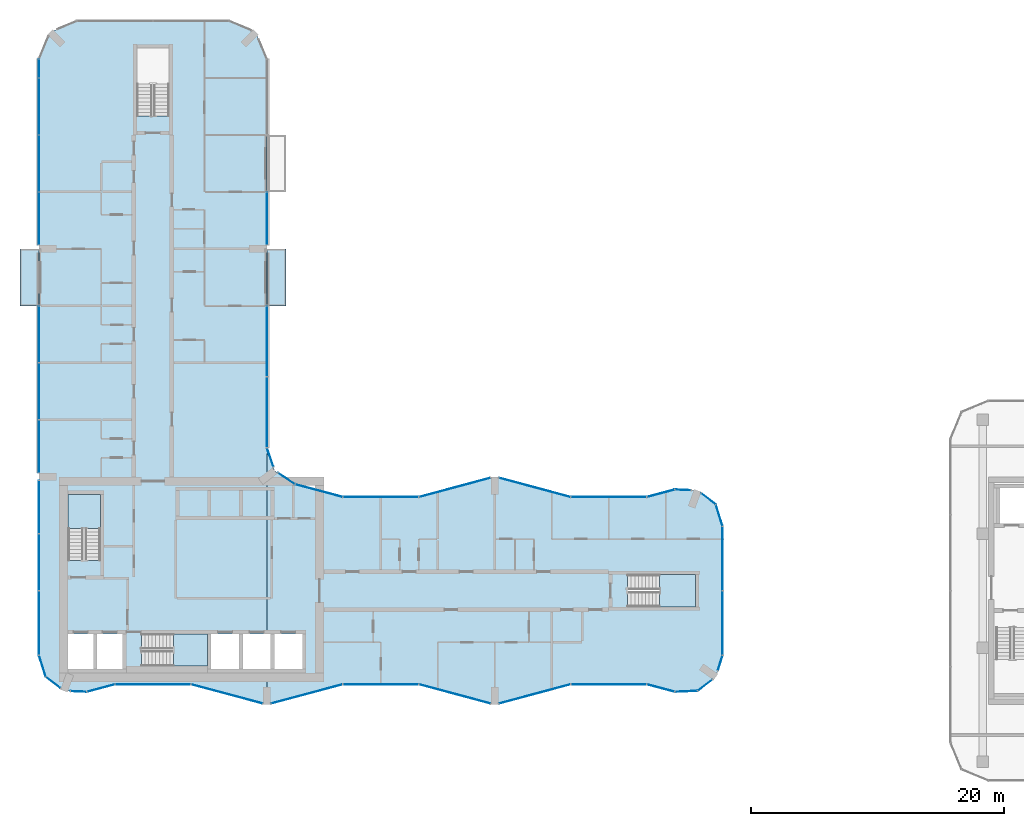
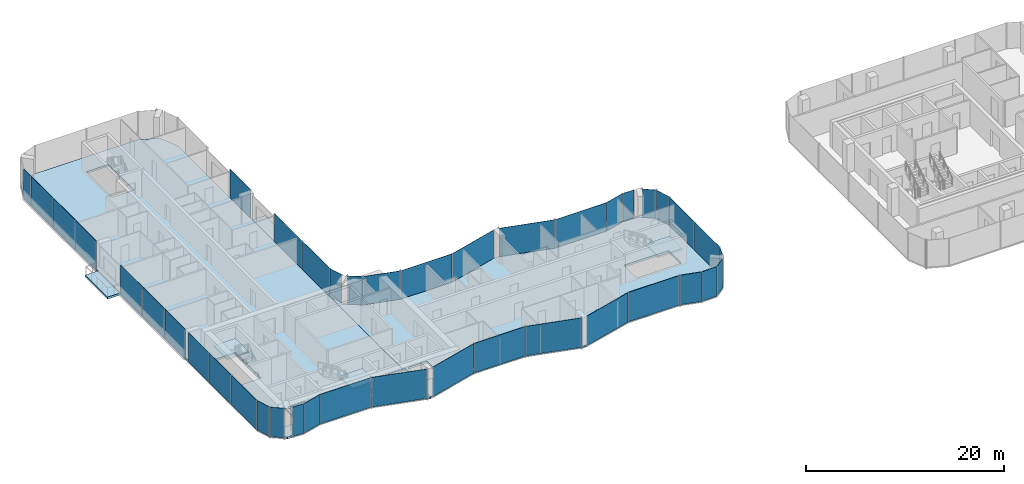
# One storey, part 11 of 22: 41 plates, 7 slabs, 35 elements without a shape of their own.
"""IFC4 building model written with IfcOpenShell, lengths in metres."""

from ifc_helpers import new_model, si_unit, direction, frame, origin, origin_2d, place, context, subcontext, project, spatial, polyline, rectangle, outline, extrude, material, layer, layer_set, type_object, element, aggregate, save


model = new_model("IFC4")

# Units and contexts
model_context = context("Model", 3, precision=1e-05, world=origin(), true_north=direction((0.0, 1.0)))
body_context = subcontext(model_context, "Body", "Model", "MODEL_VIEW")
ifc_project = project(units=[si_unit("LENGTHUNIT", "METRE"), si_unit("AREAUNIT", "SQUARE_METRE"), si_unit("VOLUMEUNIT", "CUBIC_METRE"), si_unit("PLANEANGLEUNIT", "RADIAN"), si_unit("MASSUNIT", "GRAM", prefix="KILO")], contexts=[model_context])

# Site, building, storey
site_placement = place(None, origin())
site = spatial("IfcSite", under=ifc_project, at=site_placement, CompositionType="ELEMENT")
building_placement = place(site_placement, origin())
building = spatial("IfcBuilding", under=site, at=building_placement, Name="Plateau Cross Towers", CompositionType="ELEMENT")
storey_placement = place(building_placement, frame((0.0, 0.0, 68.800048828125)))
storey = spatial("IfcBuildingStorey", under=building, at=storey_placement, Name="L17", CompositionType="ELEMENT", Elevation=68.800048828125)

# Slabs
ifc_material_1 = material(Name="Concrete C40/50", Category="concrete")
ifc_layer_1 = layer(ifc_material_1, 0.25)
ifc_layer_set_1 = layer_set([ifc_layer_1], Name="Concrete C40/50")
slab_type_1 = type_object("IfcSlabType", Name="Balcony slab 250", PredefinedType="FLOOR", material=ifc_layer_set_1)
slab_1_placement = place(storey_placement, frame((0.0, 0.0, -0.25)))
element("IfcSlab", 1, at=slab_1_placement, inside=storey, type_object=slab_type_1, Name="Balcony slab A-BAL-L17-01", PredefinedType="FLOOR", context=body_context, shape_type="SweptSolid", body=[
    extrude(outline(polyline([(0.0, 31.5), (0.0, 36.0), (-1.5, 36.0), (-1.5, 31.5), (0.0, 31.5)])), origin(), (0.0, 0.0, 1.0), 0.25),
])
slab_2_placement = place(storey_placement, frame((0.0, 0.0, -0.25)))
element("IfcSlab", 2, at=slab_2_placement, inside=storey, type_object=slab_type_1, Name="Balcony slab A-BAL-L17-02", PredefinedType="FLOOR", context=body_context, shape_type="SweptSolid", body=[
    extrude(outline(polyline([(19.5, 31.5), (19.5, 36.0), (18.0, 36.0), (18.0, 31.5), (19.5, 31.5)])), origin(), (0.0, 0.0, 1.0), 0.25),
])

# Curtain wall, plate
ifc_material_2 = material(Name="Dark low-iron glass", Category="glass")
ifc_layer_2 = layer(ifc_material_2, 0.239990234375)
ifc_layer_set_2 = layer_set([ifc_layer_2], Name="Dark low-iron glass")
curtain_wall_type_1 = type_object("IfcCurtainWallType", Name="Curtain wall flush unitised CW-B", PredefinedType="NOTDEFINED", material=ifc_layer_set_2)
curtain_wall_1_placement = place(storey_placement, origin())
curtain_wall_1 = element("IfcCurtainWall", 3, at=curtain_wall_1_placement, inside=storey, type_object=curtain_wall_type_1, Name="ENV/A/L17/A502_10", PredefinedType="NOTDEFINED")
ifc_layer_3 = layer(ifc_material_2, 0.031982421875)
ifc_layer_set_3 = layer_set([ifc_layer_3], Name="Dark low-iron glass")
plate_type_1 = type_object("IfcPlateType", Name="Glass panel 32 flush unitised", PredefinedType="CURTAIN_PANEL", material=ifc_layer_set_3)
plate_1_placement = place(storey_placement, frame((51.125, 1.05078125, -0.1298828125), z_axis=(0.0, 0.0, 1.0), x_axis=(0.999043701491, 0.043722791671, 0.0)))
plate_1 = element("IfcPlate", 4, at=plate_1_placement, type_object=plate_type_1, Name="CW-B panel 1", PredefinedType="CURTAIN_PANEL", context=body_context, shape_type="SweptSolid", body=[
    extrude(rectangle(XDim=1.744140625, YDim=0.031982421875, at=origin_2d()), origin(), (0.0, 0.0, 1.0), 3.6298828125),
])
aggregate(curtain_wall_1, [plate_1])

curtain_wall_2_placement = place(storey_placement, origin())
curtain_wall_2 = element("IfcCurtainWall", 5, at=curtain_wall_2_placement, inside=storey, type_object=curtain_wall_type_1, Name="ENV/A/L17/A520_11", PredefinedType="NOTDEFINED")
plate_2_placement = place(storey_placement, frame((52.60986328125, 1.5380859375, -0.1298828125), z_axis=(0.0, 0.0, 1.0), x_axis=(0.793315514529, 0.608810721331, 0.0)))
plate_2 = element("IfcPlate", 6, at=plate_2_placement, type_object=plate_type_1, Name="CW-B panel 1", PredefinedType="CURTAIN_PANEL", context=body_context, shape_type="SweptSolid", body=[
    extrude(rectangle(XDim=1.41162109375, YDim=0.031982421875, at=origin_2d()), origin(), (0.0, 0.0, 1.0), 3.6298828125),
])
aggregate(curtain_wall_2, [plate_2])

curtain_wall_3_placement = place(storey_placement, origin())
curtain_wall_3 = element("IfcCurtainWall", 7, at=curtain_wall_3_placement, inside=storey, type_object=curtain_wall_type_1, Name="ENV/A/L17/A536_27", PredefinedType="NOTDEFINED")
plate_3_placement = place(storey_placement, frame((53.805419921875, 3.292236328125, -0.1298828125), z_axis=(0.0, 0.0, 1.0), x_axis=(0.300686174994, 0.95372313811, 0.0)))
plate_3 = element("IfcPlate", 8, at=plate_3_placement, type_object=plate_type_1, Name="CW-B panel 1", PredefinedType="CURTAIN_PANEL", context=body_context, shape_type="SweptSolid", body=[
    extrude(rectangle(XDim=1.233642578125, YDim=0.031982421875, at=origin_2d()), origin(), (0.0, 0.0, 1.0), 3.6298828125),
])
aggregate(curtain_wall_3, [plate_3])

# Curtain wall, plates
curtain_wall_4_placement = place(storey_placement, origin())
curtain_wall_4 = element("IfcCurtainWall", 9, at=curtain_wall_4_placement, inside=storey, type_object=curtain_wall_type_1, Name="ENV/A/L17/A540_39", PredefinedType="NOTDEFINED")
plate_4_placement = place(storey_placement, frame((54.0, 6.45458984375, -0.1298828125), z_axis=(0.0, 0.0, 1.0), x_axis=(0.0, 1.0, 0.0)))
plate_4 = element("IfcPlate", 10, at=plate_4_placement, type_object=plate_type_1, Name="CW-B panel 1", PredefinedType="CURTAIN_PANEL", context=body_context, shape_type="SweptSolid", body=[
    extrude(rectangle(XDim=5.03076171875, YDim=0.031982421875, at=origin_2d()), origin(), (0.0, 0.0, 1.0), 3.6298828125),
])
plate_5_placement = place(storey_placement, frame((54.0, 11.54541015625, -0.1298828125), z_axis=(0.0, 0.0, 1.0), x_axis=(0.0, 1.0, 0.0)))
plate_5 = element("IfcPlate", 11, at=plate_5_placement, type_object=plate_type_1, Name="CW-B panel 2", PredefinedType="CURTAIN_PANEL", context=body_context, shape_type="SweptSolid", body=[
    extrude(rectangle(XDim=5.03076171875, YDim=0.031982421875, at=origin_2d()), origin(), (0.0, 0.0, 1.0), 3.6298828125),
])
aggregate(curtain_wall_4, [plate_4, plate_5])

# Curtain wall, plate
curtain_wall_5_placement = place(storey_placement, origin())
curtain_wall_5 = element("IfcCurtainWall", 12, at=curtain_wall_5_placement, inside=storey, type_object=curtain_wall_type_1, Name="ENV/A/L17/A540_141", PredefinedType="NOTDEFINED")
plate_6_placement = place(storey_placement, frame((53.728759765625, 14.951171875, -0.1298828125), z_axis=(0.0, 0.0, 1.0), x_axis=(-0.300686174994, 0.95372313811, 0.0)))
plate_6 = element("IfcPlate", 13, at=plate_6_placement, type_object=plate_type_1, Name="CW-B panel 1", PredefinedType="CURTAIN_PANEL", context=body_context, shape_type="SweptSolid", body=[
    extrude(rectangle(XDim=1.744140625, YDim=0.031982421875, at=origin_2d()), origin(), (0.0, 0.0, 1.0), 3.6298828125),
])
aggregate(curtain_wall_5, [plate_6])

curtain_wall_6_placement = place(storey_placement, origin())
curtain_wall_6 = element("IfcCurtainWall", 14, at=curtain_wall_6_placement, inside=storey, type_object=curtain_wall_type_1, Name="ENV/A/L17/A535_158", PredefinedType="NOTDEFINED")
plate_7_placement = place(storey_placement, frame((52.873779296875, 16.25927734375, -0.1298828125), z_axis=(0.0, 0.0, 1.0), x_axis=(-0.793315514529, 0.608810721331, 0.0)))
plate_7 = element("IfcPlate", 15, at=plate_7_placement, type_object=plate_type_1, Name="CW-B panel 1", PredefinedType="CURTAIN_PANEL", context=body_context, shape_type="SweptSolid", body=[
    extrude(rectangle(XDim=1.41162109375, YDim=0.031982421875, at=origin_2d()), origin(), (0.0, 0.0, 1.0), 3.6298828125),
])
aggregate(curtain_wall_6, [plate_7])

curtain_wall_7_placement = place(storey_placement, origin())
curtain_wall_7 = element("IfcCurtainWall", 16, at=curtain_wall_7_placement, inside=storey, type_object=curtain_wall_type_1, Name="ENV/A/L17/A515_169", PredefinedType="NOTDEFINED")
plate_8_placement = place(storey_placement, frame((50.8701171875, 16.96044921875, -0.1298828125), z_axis=(0.0, 0.0, 1.0), x_axis=(-0.999043701491, 0.043722791671, 0.0)))
plate_8 = element("IfcPlate", 17, at=plate_8_placement, type_object=plate_type_1, Name="CW-B panel 1", PredefinedType="CURTAIN_PANEL", context=body_context, shape_type="SweptSolid", body=[
    extrude(rectangle(XDim=1.233642578125, YDim=0.031982421875, at=origin_2d()), origin(), (0.0, 0.0, 1.0), 3.6298828125),
])
aggregate(curtain_wall_7, [plate_8])

curtain_wall_8_placement = place(storey_placement, origin())
curtain_wall_8 = element("IfcCurtainWall", 18, at=curtain_wall_8_placement, inside=storey, type_object=curtain_wall_type_1, Name="ENV/A/L17/A202_174", PredefinedType="NOTDEFINED")
plate_9_placement = place(storey_placement, frame((19.546630859375, 17.856689453125, -0.1298828125), z_axis=(0.0, 0.0, 1.0), x_axis=(-0.831521253329, 0.555492938984, 0.0)))
plate_9 = element("IfcPlate", 19, at=plate_9_placement, type_object=plate_type_1, Name="CW-B panel 1", PredefinedType="CURTAIN_PANEL", context=body_context, shape_type="SweptSolid", body=[
    extrude(rectangle(XDim=1.56884765625, YDim=0.031982421875, at=origin_2d()), origin(), (0.0, 0.0, 1.0), 3.6298828125),
])
aggregate(curtain_wall_8, [plate_9])

curtain_wall_9_placement = place(storey_placement, origin())
curtain_wall_9 = element("IfcCurtainWall", 20, at=curtain_wall_9_placement, inside=storey, type_object=curtain_wall_type_1, Name="ENV/A/L17/A185_188", PredefinedType="NOTDEFINED")
plate_10_placement = place(storey_placement, frame((18.26171875, 19.531005859375, -0.1298828125), z_axis=(0.0, 0.0, 1.0), x_axis=(-0.321469161574, 0.94692004845, 0.0)))
plate_10 = element("IfcPlate", 21, at=plate_10_placement, type_object=plate_type_1, Name="CW-B panel 1", PredefinedType="CURTAIN_PANEL", context=body_context, shape_type="SweptSolid", body=[
    extrude(rectangle(XDim=1.56884765625, YDim=0.031982421875, at=origin_2d()), origin(), (0.0, 0.0, 1.0), 3.6298828125),
])
aggregate(curtain_wall_9, [plate_10])

# Curtain wall, plates
curtain_wall_10_placement = place(storey_placement, origin())
curtain_wall_10 = element("IfcCurtainWall", 22, at=curtain_wall_10_placement, inside=storey, type_object=curtain_wall_type_1, Name="ENV/A/L17/A180_203", PredefinedType="NOTDEFINED")
plate_11_placement = place(storey_placement, frame((18.0, 23.09912109375, -0.1298828125), z_axis=(0.0, 0.0, 1.0), x_axis=(0.0, 1.0, 0.0)))
plate_11 = element("IfcPlate", 23, at=plate_11_placement, type_object=plate_type_1, Name="CW-B panel 1", PredefinedType="CURTAIN_PANEL", context=body_context, shape_type="SweptSolid", body=[
    extrude(rectangle(XDim=5.533935546875, YDim=0.031982421875, at=origin_2d()), origin(), (0.0, 0.0, 1.0), 3.6298828125),
])
plate_12_placement = place(storey_placement, frame((18.0, 28.693115234375, -0.1298828125), z_axis=(0.0, 0.0, 1.0), x_axis=(0.0, 1.0, 0.0)))
plate_12 = element("IfcPlate", 24, at=plate_12_placement, type_object=plate_type_1, Name="CW-B panel 2", PredefinedType="CURTAIN_PANEL", context=body_context, shape_type="SweptSolid", body=[
    extrude(rectangle(XDim=5.533935546875, YDim=0.031982421875, at=origin_2d()), origin(), (0.0, 0.0, 1.0), 3.6298828125),
])
aggregate(curtain_wall_10, [plate_11, plate_12])

# Curtain wall, plate
curtain_wall_11_placement = place(storey_placement, origin())
curtain_wall_11 = element("IfcCurtainWall", 25, at=curtain_wall_11_placement, inside=storey, type_object=curtain_wall_type_1, Name="ENV/A/L17/A180_363", PredefinedType="NOTDEFINED")
plate_13_placement = place(storey_placement, frame((18.0, 38.39501953125, -0.1298828125), z_axis=(0.0, 0.0, 1.0), x_axis=(0.0, 1.0, 0.0)))
plate_13 = element("IfcPlate", 26, at=plate_13_placement, type_object=plate_type_1, Name="CW-B panel 1", PredefinedType="CURTAIN_PANEL", context=body_context, shape_type="SweptSolid", body=[
    extrude(rectangle(XDim=4.1298828125, YDim=0.031982421875, at=origin_2d()), origin(), (0.0, 0.0, 1.0), 3.6298828125),
])
aggregate(curtain_wall_11, [plate_13])

# Curtain wall, plates
curtain_wall_12_placement = place(storey_placement, origin())
curtain_wall_12 = element("IfcCurtainWall", 27, at=curtain_wall_12_placement, inside=storey, type_object=curtain_wall_type_1, Name="ENV/A/L17/A0_510", PredefinedType="NOTDEFINED")
plate_14_placement = place(storey_placement, frame((0.0, 50.25, -0.1298828125), z_axis=(0.0, 0.0, 1.0), x_axis=(0.0, -1.0, 0.0)))
plate_14 = element("IfcPlate", 28, at=plate_14_placement, type_object=plate_type_1, Name="CW-B panel 1", PredefinedType="CURTAIN_PANEL", context=body_context, shape_type="SweptSolid", body=[
    extrude(rectangle(XDim=1.43994140625, YDim=0.031982421875, at=origin_2d()), origin(), (0.0, 0.0, 1.0), 3.6298828125),
])
plate_15_placement = place(storey_placement, frame((0.0, 47.25, -0.1298828125), z_axis=(0.0, 0.0, 1.0), x_axis=(0.0, -1.0, 0.0)))
plate_15 = element("IfcPlate", 29, at=plate_15_placement, type_object=plate_type_1, Name="CW-B panel 2", PredefinedType="CURTAIN_PANEL", context=body_context, shape_type="SweptSolid", body=[
    extrude(rectangle(XDim=4.43994140625, YDim=0.031982421875, at=origin_2d()), origin(), (0.0, 0.0, 1.0), 3.6298828125),
])
plate_16_placement = place(storey_placement, frame((0.0, 42.75, -0.1298828125), z_axis=(0.0, 0.0, 1.0), x_axis=(0.0, -1.0, 0.0)))
plate_16 = element("IfcPlate", 30, at=plate_16_placement, type_object=plate_type_1, Name="CW-B panel 3", PredefinedType="CURTAIN_PANEL", context=body_context, shape_type="SweptSolid", body=[
    extrude(rectangle(XDim=4.43994140625, YDim=0.031982421875, at=origin_2d()), origin(), (0.0, 0.0, 1.0), 3.6298828125),
])
plate_17_placement = place(storey_placement, frame((0.0, 38.39990234375, -0.1298828125), z_axis=(0.0, 0.0, 1.0), x_axis=(0.0, -1.0, 0.0)))
plate_17 = element("IfcPlate", 31, at=plate_17_placement, type_object=plate_type_1, Name="CW-B panel 4", PredefinedType="CURTAIN_PANEL", context=body_context, shape_type="SweptSolid", body=[
    extrude(rectangle(XDim=4.139892578125, YDim=0.031982421875, at=origin_2d()), origin(), (0.0, 0.0, 1.0), 3.6298828125),
])
aggregate(curtain_wall_12, [plate_14, plate_15, plate_16, plate_17])

curtain_wall_13_placement = place(storey_placement, origin())
curtain_wall_13 = element("IfcCurtainWall", 32, at=curtain_wall_13_placement, inside=storey, type_object=curtain_wall_type_1, Name="ENV/A/L17/A0_315", PredefinedType="NOTDEFINED")
plate_18_placement = place(storey_placement, frame((0.0, 29.2451171875, -0.1298828125), z_axis=(0.0, 0.0, 1.0), x_axis=(0.0, -1.0, 0.0)))
plate_18 = element("IfcPlate", 33, at=plate_18_placement, type_object=plate_type_1, Name="CW-B panel 1", PredefinedType="CURTAIN_PANEL", context=body_context, shape_type="SweptSolid", body=[
    extrude(rectangle(XDim=4.429931640625, YDim=0.031982421875, at=origin_2d()), origin(), (0.0, 0.0, 1.0), 3.6298828125),
])
plate_19_placement = place(storey_placement, frame((0.0, 24.75, -0.1298828125), z_axis=(0.0, 0.0, 1.0), x_axis=(0.0, -1.0, 0.0)))
plate_19 = element("IfcPlate", 34, at=plate_19_placement, type_object=plate_type_1, Name="CW-B panel 2", PredefinedType="CURTAIN_PANEL", context=body_context, shape_type="SweptSolid", body=[
    extrude(rectangle(XDim=4.43994140625, YDim=0.031982421875, at=origin_2d()), origin(), (0.0, 0.0, 1.0), 3.6298828125),
])
plate_20_placement = place(storey_placement, frame((0.0, 20.39990234375, -0.1298828125), z_axis=(0.0, 0.0, 1.0), x_axis=(0.0, -1.0, 0.0)))
plate_20 = element("IfcPlate", 35, at=plate_20_placement, type_object=plate_type_1, Name="CW-B panel 3", PredefinedType="CURTAIN_PANEL", context=body_context, shape_type="SweptSolid", body=[
    extrude(rectangle(XDim=4.139892578125, YDim=0.031982421875, at=origin_2d()), origin(), (0.0, 0.0, 1.0), 3.6298828125),
])
aggregate(curtain_wall_13, [plate_18, plate_19, plate_20])

curtain_wall_14_placement = place(storey_placement, origin())
curtain_wall_14 = element("IfcCurtainWall", 36, at=curtain_wall_14_placement, inside=storey, type_object=curtain_wall_type_1, Name="ENV/A/L17/A0_177", PredefinedType="NOTDEFINED")
plate_21_placement = place(storey_placement, frame((0.0, 15.60009765625, -0.1298828125), z_axis=(0.0, 0.0, 1.0), x_axis=(0.0, -1.0, 0.0)))
plate_21 = element("IfcPlate", 37, at=plate_21_placement, type_object=plate_type_1, Name="CW-B panel 1", PredefinedType="CURTAIN_PANEL", context=body_context, shape_type="SweptSolid", body=[
    extrude(rectangle(XDim=4.139892578125, YDim=0.031982421875, at=origin_2d()), origin(), (0.0, 0.0, 1.0), 3.6298828125),
])
plate_22_placement = place(storey_placement, frame((0.0, 11.25, -0.1298828125), z_axis=(0.0, 0.0, 1.0), x_axis=(0.0, -1.0, 0.0)))
plate_22 = element("IfcPlate", 38, at=plate_22_placement, type_object=plate_type_1, Name="CW-B panel 2", PredefinedType="CURTAIN_PANEL", context=body_context, shape_type="SweptSolid", body=[
    extrude(rectangle(XDim=4.43994140625, YDim=0.031982421875, at=origin_2d()), origin(), (0.0, 0.0, 1.0), 3.6298828125),
])
plate_23_placement = place(storey_placement, frame((0.0, 6.45458984375, -0.1298828125), z_axis=(0.0, 0.0, 1.0), x_axis=(0.0, -1.0, 0.0)))
plate_23 = element("IfcPlate", 39, at=plate_23_placement, type_object=plate_type_1, Name="CW-B panel 3", PredefinedType="CURTAIN_PANEL", context=body_context, shape_type="SweptSolid", body=[
    extrude(rectangle(XDim=5.03076171875, YDim=0.031982421875, at=origin_2d()), origin(), (0.0, 0.0, 1.0), 3.6298828125),
])
aggregate(curtain_wall_14, [plate_21, plate_22, plate_23])

# Curtain wall, plate
curtain_wall_15_placement = place(storey_placement, origin())
curtain_wall_15 = element("IfcCurtainWall", 40, at=curtain_wall_15_placement, inside=storey, type_object=curtain_wall_type_1, Name="ENV/A/L17/A0_39", PredefinedType="NOTDEFINED")
plate_24_placement = place(storey_placement, frame((0.271240234375, 3.048828125, -0.1298828125), z_axis=(0.0, 0.0, 1.0), x_axis=(0.300686174994, -0.95372313811, 0.0)))
plate_24 = element("IfcPlate", 41, at=plate_24_placement, type_object=plate_type_1, Name="CW-B panel 1", PredefinedType="CURTAIN_PANEL", context=body_context, shape_type="SweptSolid", body=[
    extrude(rectangle(XDim=1.744140625, YDim=0.031982421875, at=origin_2d()), origin(), (0.0, 0.0, 1.0), 3.6298828125),
])
aggregate(curtain_wall_15, [plate_24])

curtain_wall_16_placement = place(storey_placement, origin())
curtain_wall_16 = element("IfcCurtainWall", 42, at=curtain_wall_16_placement, inside=storey, type_object=curtain_wall_type_1, Name="ENV/A/L17/A5_22", PredefinedType="NOTDEFINED")
plate_25_placement = place(storey_placement, frame((1.126220703125, 1.74072265625, -0.1298828125), z_axis=(0.0, 0.0, 1.0), x_axis=(0.793315514529, -0.608810721331, 0.0)))
plate_25 = element("IfcPlate", 43, at=plate_25_placement, type_object=plate_type_1, Name="CW-B panel 1", PredefinedType="CURTAIN_PANEL", context=body_context, shape_type="SweptSolid", body=[
    extrude(rectangle(XDim=1.41162109375, YDim=0.031982421875, at=origin_2d()), origin(), (0.0, 0.0, 1.0), 3.6298828125),
])
aggregate(curtain_wall_16, [plate_25])

curtain_wall_17_placement = place(storey_placement, origin())
curtain_wall_17 = element("IfcCurtainWall", 44, at=curtain_wall_17_placement, inside=storey, type_object=curtain_wall_type_1, Name="ENV/A/L17/A25_11", PredefinedType="NOTDEFINED")
plate_26_placement = place(storey_placement, frame((3.1298828125, 1.03955078125, -0.1298828125), z_axis=(0.0, 0.0, 1.0), x_axis=(0.999043701491, -0.043722791671, 0.0)))
plate_26 = element("IfcPlate", 45, at=plate_26_placement, type_object=plate_type_1, Name="CW-B panel 1", PredefinedType="CURTAIN_PANEL", context=body_context, shape_type="SweptSolid", body=[
    extrude(rectangle(XDim=1.233642578125, YDim=0.031982421875, at=origin_2d()), origin(), (0.0, 0.0, 1.0), 3.6298828125),
])
aggregate(curtain_wall_17, [plate_26])

ifc_layer_4 = layer(ifc_material_2, 0.260009765625)
ifc_layer_set_4 = layer_set([ifc_layer_4], Name="Dark low-iron glass")
curtain_wall_type_2 = type_object("IfcCurtainWallType", Name="Curtain wall fluted unitised CW-A", PredefinedType="NOTDEFINED", material=ifc_layer_set_4)
curtain_wall_18_placement = place(storey_placement, origin())
curtain_wall_18 = element("IfcCurtainWall", 46, at=curtain_wall_18_placement, inside=storey, type_object=curtain_wall_type_2, Name="ENV/A/L17/A38_10", PredefinedType="NOTDEFINED")
ifc_layer_5 = layer(ifc_material_2, 0.035888671875)
ifc_layer_set_5 = layer_set([ifc_layer_5], Name="Dark low-iron glass")
plate_type_2 = type_object("IfcPlateType", Name="Glass panel 36 fluted unitised", PredefinedType="CURTAIN_PANEL", material=ifc_layer_set_5)
plate_27_placement = place(storey_placement, frame((4.887939453125, 1.30908203125, -0.1298828125), z_axis=(0.0, 0.0, 1.0), x_axis=(0.965957962328, 0.258699081978, 0.0)))
plate_27 = element("IfcPlate", 47, at=plate_27_placement, type_object=plate_type_2, Name="CW-A panel 1", PredefinedType="CURTAIN_PANEL", context=body_context, shape_type="SweptSolid", body=[
    extrude(rectangle(XDim=2.2421875, YDim=0.035888671875, at=origin_2d()), origin(), (0.0, 0.0, 1.0), 3.6298828125),
])
aggregate(curtain_wall_18, [plate_27])

curtain_wall_19_placement = place(storey_placement, origin())
curtain_wall_19 = element("IfcCurtainWall", 48, at=curtain_wall_19_placement, inside=storey, type_object=curtain_wall_type_2, Name="ENV/A/L17/A60_16", PredefinedType="NOTDEFINED")
plate_28_placement = place(storey_placement, frame((9.0, 1.60693359375, -0.1298828125), z_axis=(0.0, 0.0, 1.0), x_axis=(1.0, 0.0, 0.0)))
plate_28 = element("IfcPlate", 49, at=plate_28_placement, type_object=plate_type_2, Name="CW-A panel 1", PredefinedType="CURTAIN_PANEL", context=body_context, shape_type="SweptSolid", body=[
    extrude(rectangle(XDim=5.93994140625, YDim=0.035888671875, at=origin_2d()), origin(), (0.0, 0.0, 1.0), 3.6298828125),
])
aggregate(curtain_wall_19, [plate_28])

curtain_wall_20_placement = place(storey_placement, origin())
curtain_wall_20 = element("IfcCurtainWall", 50, at=curtain_wall_20_placement, inside=storey, type_object=curtain_wall_type_2, Name="ENV/A/L17/A120_16", PredefinedType="NOTDEFINED")
plate_29_placement = place(storey_placement, frame((14.841064453125, 0.845947265625, -0.1298828125), z_axis=(0.0, 0.0, 1.0), x_axis=(0.965957983404, -0.258699003279, 0.0)))
plate_29 = element("IfcPlate", 51, at=plate_29_placement, type_object=plate_type_2, Name="CW-A panel 1", PredefinedType="CURTAIN_PANEL", context=body_context, shape_type="SweptSolid", body=[
    extrude(rectangle(XDim=5.822265625, YDim=0.035888671875, at=origin_2d()), origin(), (0.0, 0.0, 1.0), 3.6298828125),
])
aggregate(curtain_wall_20, [plate_29])

curtain_wall_21_placement = place(storey_placement, origin())
curtain_wall_21 = element("IfcCurtainWall", 52, at=curtain_wall_21_placement, inside=storey, type_object=curtain_wall_type_2, Name="ENV/A/L17/A183_1", PredefinedType="NOTDEFINED")
plate_30_placement = place(storey_placement, frame((21.158935546875, 0.845947265625, -0.1298828125), z_axis=(0.0, 0.0, 1.0), x_axis=(0.965957983404, 0.258699003279, 0.0)))
plate_30 = element("IfcPlate", 53, at=plate_30_placement, type_object=plate_type_2, Name="CW-A panel 1", PredefinedType="CURTAIN_PANEL", context=body_context, shape_type="SweptSolid", body=[
    extrude(rectangle(XDim=5.822265625, YDim=0.035888671875, at=origin_2d()), origin(), (0.0, 0.0, 1.0), 3.6298828125),
])
aggregate(curtain_wall_21, [plate_30])

curtain_wall_22_placement = place(storey_placement, origin())
curtain_wall_22 = element("IfcCurtainWall", 54, at=curtain_wall_22_placement, inside=storey, type_object=curtain_wall_type_2, Name="ENV/A/L17/A240_16", PredefinedType="NOTDEFINED")
plate_31_placement = place(storey_placement, frame((27.0, 1.60693359375, -0.1298828125), z_axis=(0.0, 0.0, 1.0), x_axis=(1.0, 0.0, 0.0)))
plate_31 = element("IfcPlate", 55, at=plate_31_placement, type_object=plate_type_2, Name="CW-A panel 1", PredefinedType="CURTAIN_PANEL", context=body_context, shape_type="SweptSolid", body=[
    extrude(rectangle(XDim=5.93994140625, YDim=0.035888671875, at=origin_2d()), origin(), (0.0, 0.0, 1.0), 3.6298828125),
])
aggregate(curtain_wall_22, [plate_31])

curtain_wall_23_placement = place(storey_placement, origin())
curtain_wall_23 = element("IfcCurtainWall", 56, at=curtain_wall_23_placement, inside=storey, type_object=curtain_wall_type_2, Name="ENV/A/L17/A300_16", PredefinedType="NOTDEFINED")
plate_32_placement = place(storey_placement, frame((32.841064453125, 0.845947265625, -0.1298828125), z_axis=(0.0, 0.0, 1.0), x_axis=(0.965957983404, -0.258699003279, 0.0)))
plate_32 = element("IfcPlate", 57, at=plate_32_placement, type_object=plate_type_2, Name="CW-A panel 1", PredefinedType="CURTAIN_PANEL", context=body_context, shape_type="SweptSolid", body=[
    extrude(rectangle(XDim=5.822265625, YDim=0.035888671875, at=origin_2d()), origin(), (0.0, 0.0, 1.0), 3.6298828125),
])
aggregate(curtain_wall_23, [plate_32])

curtain_wall_24_placement = place(storey_placement, origin())
curtain_wall_24 = element("IfcCurtainWall", 58, at=curtain_wall_24_placement, inside=storey, type_object=curtain_wall_type_2, Name="ENV/A/L17/A363_1", PredefinedType="NOTDEFINED")
plate_33_placement = place(storey_placement, frame((39.158935546875, 0.845947265625, -0.1298828125), z_axis=(0.0, 0.0, 1.0), x_axis=(0.965957983404, 0.258699003279, 0.0)))
plate_33 = element("IfcPlate", 59, at=plate_33_placement, type_object=plate_type_2, Name="CW-A panel 1", PredefinedType="CURTAIN_PANEL", context=body_context, shape_type="SweptSolid", body=[
    extrude(rectangle(XDim=5.822265625, YDim=0.035888671875, at=origin_2d()), origin(), (0.0, 0.0, 1.0), 3.6298828125),
])
aggregate(curtain_wall_24, [plate_33])

curtain_wall_25_placement = place(storey_placement, origin())
curtain_wall_25 = element("IfcCurtainWall", 60, at=curtain_wall_25_placement, inside=storey, type_object=curtain_wall_type_2, Name="ENV/A/L17/A420_16", PredefinedType="NOTDEFINED")
plate_34_placement = place(storey_placement, frame((45.0, 1.60693359375, -0.1298828125), z_axis=(0.0, 0.0, 1.0), x_axis=(1.0, 0.0, 0.0)))
plate_34 = element("IfcPlate", 61, at=plate_34_placement, type_object=plate_type_2, Name="CW-A panel 1", PredefinedType="CURTAIN_PANEL", context=body_context, shape_type="SweptSolid", body=[
    extrude(rectangle(XDim=5.93994140625, YDim=0.035888671875, at=origin_2d()), origin(), (0.0, 0.0, 1.0), 3.6298828125),
])
aggregate(curtain_wall_25, [plate_34])

curtain_wall_26_placement = place(storey_placement, origin())
curtain_wall_26 = element("IfcCurtainWall", 62, at=curtain_wall_26_placement, inside=storey, type_object=curtain_wall_type_2, Name="ENV/A/L17/A480_16", PredefinedType="NOTDEFINED")
plate_35_placement = place(storey_placement, frame((49.112060546875, 1.30908203125, -0.1298828125), z_axis=(0.0, 0.0, 1.0), x_axis=(0.965957962328, -0.258699081978, 0.0)))
plate_35 = element("IfcPlate", 63, at=plate_35_placement, type_object=plate_type_2, Name="CW-A panel 1", PredefinedType="CURTAIN_PANEL", context=body_context, shape_type="SweptSolid", body=[
    extrude(rectangle(XDim=2.2421875, YDim=0.035888671875, at=origin_2d()), origin(), (0.0, 0.0, 1.0), 3.6298828125),
])
aggregate(curtain_wall_26, [plate_35])

curtain_wall_27_placement = place(storey_placement, origin())
curtain_wall_27 = element("IfcCurtainWall", 64, at=curtain_wall_27_placement, inside=storey, type_object=curtain_wall_type_2, Name="ENV/A/L17/A502_170", PredefinedType="NOTDEFINED")
plate_36_placement = place(storey_placement, frame((49.112060546875, 16.69091796875, -0.1298828125), z_axis=(0.0, 0.0, 1.0), x_axis=(-0.965957962328, -0.258699081978, 0.0)))
plate_36 = element("IfcPlate", 65, at=plate_36_placement, type_object=plate_type_2, Name="CW-A panel 1", PredefinedType="CURTAIN_PANEL", context=body_context, shape_type="SweptSolid", body=[
    extrude(rectangle(XDim=2.2421875, YDim=0.035888671875, at=origin_2d()), origin(), (0.0, 0.0, 1.0), 3.6298828125),
])
aggregate(curtain_wall_27, [plate_36])

curtain_wall_28_placement = place(storey_placement, origin())
curtain_wall_28 = element("IfcCurtainWall", 66, at=curtain_wall_28_placement, inside=storey, type_object=curtain_wall_type_2, Name="ENV/A/L17/A480_164", PredefinedType="NOTDEFINED")
plate_37_placement = place(storey_placement, frame((45.0, 16.39306640625, -0.1298828125), z_axis=(0.0, 0.0, 1.0), x_axis=(-1.0, 0.0, 0.0)))
plate_37 = element("IfcPlate", 67, at=plate_37_placement, type_object=plate_type_2, Name="CW-A panel 1", PredefinedType="CURTAIN_PANEL", context=body_context, shape_type="SweptSolid", body=[
    extrude(rectangle(XDim=5.93994140625, YDim=0.035888671875, at=origin_2d()), origin(), (0.0, 0.0, 1.0), 3.6298828125),
])
aggregate(curtain_wall_28, [plate_37])

curtain_wall_29_placement = place(storey_placement, origin())
curtain_wall_29 = element("IfcCurtainWall", 68, at=curtain_wall_29_placement, inside=storey, type_object=curtain_wall_type_2, Name="ENV/A/L17/A420_164", PredefinedType="NOTDEFINED")
plate_38_placement = place(storey_placement, frame((39.158935546875, 17.154052734375, -0.1298828125), z_axis=(0.0, 0.0, 1.0), x_axis=(-0.965957983404, 0.258699003279, 0.0)))
plate_38 = element("IfcPlate", 69, at=plate_38_placement, type_object=plate_type_2, Name="CW-A panel 1", PredefinedType="CURTAIN_PANEL", context=body_context, shape_type="SweptSolid", body=[
    extrude(rectangle(XDim=5.822265625, YDim=0.035888671875, at=origin_2d()), origin(), (0.0, 0.0, 1.0), 3.6298828125),
])
aggregate(curtain_wall_29, [plate_38])

curtain_wall_30_placement = place(storey_placement, origin())
curtain_wall_30 = element("IfcCurtainWall", 70, at=curtain_wall_30_placement, inside=storey, type_object=curtain_wall_type_2, Name="ENV/A/L17/A357_179", PredefinedType="NOTDEFINED")
plate_39_placement = place(storey_placement, frame((32.841064453125, 17.154052734375, -0.1298828125), z_axis=(0.0, 0.0, 1.0), x_axis=(-0.965957983404, -0.258699003279, 0.0)))
plate_39 = element("IfcPlate", 71, at=plate_39_placement, type_object=plate_type_2, Name="CW-A panel 1", PredefinedType="CURTAIN_PANEL", context=body_context, shape_type="SweptSolid", body=[
    extrude(rectangle(XDim=5.822265625, YDim=0.035888671875, at=origin_2d()), origin(), (0.0, 0.0, 1.0), 3.6298828125),
])
aggregate(curtain_wall_30, [plate_39])

curtain_wall_31_placement = place(storey_placement, origin())
curtain_wall_31 = element("IfcCurtainWall", 72, at=curtain_wall_31_placement, inside=storey, type_object=curtain_wall_type_2, Name="ENV/A/L17/A300_164", PredefinedType="NOTDEFINED")
plate_40_placement = place(storey_placement, frame((27.0, 16.39306640625, -0.1298828125), z_axis=(0.0, 0.0, 1.0), x_axis=(-1.0, 0.0, 0.0)))
plate_40 = element("IfcPlate", 73, at=plate_40_placement, type_object=plate_type_2, Name="CW-A panel 1", PredefinedType="CURTAIN_PANEL", context=body_context, shape_type="SweptSolid", body=[
    extrude(rectangle(XDim=5.93994140625, YDim=0.035888671875, at=origin_2d()), origin(), (0.0, 0.0, 1.0), 3.6298828125),
])
aggregate(curtain_wall_31, [plate_40])

curtain_wall_32_placement = place(storey_placement, origin())
curtain_wall_32 = element("IfcCurtainWall", 74, at=curtain_wall_32_placement, inside=storey, type_object=curtain_wall_type_2, Name="ENV/A/L17/A240_164", PredefinedType="NOTDEFINED")
plate_41_placement = place(storey_placement, frame((22.112060546875, 16.898681640625, -0.1298828125), z_axis=(0.0, 0.0, 1.0), x_axis=(-0.965957995816, 0.258698956933, 0.0)))
plate_41 = element("IfcPlate", 75, at=plate_41_placement, type_object=plate_type_2, Name="CW-A panel 1", PredefinedType="CURTAIN_PANEL", context=body_context, shape_type="SweptSolid", body=[
    extrude(rectangle(XDim=3.84912109375, YDim=0.035888671875, at=origin_2d()), origin(), (0.0, 0.0, 1.0), 3.6298828125),
])
aggregate(curtain_wall_32, [plate_41])

# Slabs
ifc_layer_6 = layer(ifc_material_1, 0.25)
ifc_layer_set_6 = layer_set([ifc_layer_6], Name="Concrete C40/50")
slab_type_2 = type_object("IfcSlabType", Name="Post-tensioned flat plate slab 250", PredefinedType="FLOOR", material=ifc_layer_set_6)
slab_3_placement = place(storey_placement, frame((0.0, 0.0, -0.25)))
element("IfcSlab", 76, at=slab_3_placement, inside=storey, type_object=slab_type_2, Name="SL-A-L17 1", PredefinedType="FLOOR", context=body_context, shape_type="SweptSolid", body=[
    extrude(outline(polyline([(0.54248046875, 2.1884765625), (0.0, 3.9091796875), (0.0, 51.0), (0.878662109375, 53.121337890625), (3.0, 54.0), (15.0, 54.0), (17.121337890625, 53.121337890625), (18.0, 51.0), (18.0, 20.30224609375), (18.0, 5.60009765625), (16.10009765625, 5.60009765625), (16.10009765625, 2.800048828125), (18.0, 2.800048828125), (18.0, 0.0), (12.0, 1.60693359375), (6.0, 1.60693359375), (3.776123046875, 1.01123046875), (1.9736328125, 1.090087890625), (0.54248046875, 2.1884765625)]), holes=[polyline([(4.300048828125, 5.60009765625), (2.300048828125, 5.60009765625), (2.300048828125, 2.800048828125), (4.300048828125, 2.800048828125), (4.300048828125, 5.60009765625)]), polyline([(6.60009765625, 5.60009765625), (4.60009765625, 5.60009765625), (4.60009765625, 2.800048828125), (6.60009765625, 2.800048828125), (6.60009765625, 5.60009765625)]), polyline([(15.800048828125, 5.60009765625), (13.60009765625, 5.60009765625), (13.60009765625, 2.800048828125), (15.800048828125, 2.800048828125), (15.800048828125, 5.60009765625)]), polyline([(13.300048828125, 5.60009765625), (8.10009765625, 5.60009765625), (8.10009765625, 3.050048828125), (13.300048828125, 3.050048828125), (13.300048828125, 5.60009765625)]), polyline([(4.85009765625, 16.60009765625), (2.300048828125, 16.60009765625), (2.300048828125, 11.39990234375), (4.85009765625, 11.39990234375), (4.85009765625, 16.60009765625)]), polyline([(7.72509765625, 51.699951171875), (7.72509765625, 46.5), (10.27490234375, 46.5), (10.27490234375, 51.699951171875), (7.72509765625, 51.699951171875)])]), origin(), (0.0, 0.0, 1.0), 0.25),
])
slab_4_placement = place(storey_placement, frame((0.0, 0.0, -0.25)))
element("IfcSlab", 77, at=slab_4_placement, inside=storey, type_object=slab_type_2, Name="SL-A-L17 2", PredefinedType="FLOOR", context=body_context, shape_type="SweptSolid", body=[
    extrude(outline(polyline([(18.6201171875, 18.475830078125), (20.223876953125, 17.404296875), (24.0, 16.39306640625), (30.0, 16.39306640625), (36.0, 18.0), (42.0, 16.39306640625), (48.0, 16.39306640625), (50.223876953125, 16.98876953125), (52.0263671875, 16.909912109375), (53.45751953125, 15.8115234375), (54.0, 14.0908203125), (54.0, 3.9091796875), (53.45751953125, 2.1884765625), (52.0263671875, 1.090087890625), (50.223876953125, 1.01123046875), (48.0, 1.60693359375), (42.0, 1.60693359375), (36.0, 0.0), (30.0, 1.60693359375), (24.0, 1.60693359375), (18.0, 0.0), (18.0, 2.800048828125), (18.300048828125, 2.800048828125), (18.300048828125, 5.60009765625), (18.0, 5.60009765625), (18.0, 20.30224609375), (18.6201171875, 18.475830078125)]), holes=[polyline([(20.800048828125, 5.60009765625), (18.60009765625, 5.60009765625), (18.60009765625, 2.800048828125), (20.800048828125, 2.800048828125), (20.800048828125, 5.60009765625)]), polyline([(51.699951171875, 7.72509765625), (51.699951171875, 10.27490234375), (46.5, 10.27490234375), (46.5, 7.72509765625), (51.699951171875, 7.72509765625)])]), origin(), (0.0, 0.0, 1.0), 0.25),
])

# Stair, slab
stair_type = type_object("IfcStairType", Name="ST-TWR", PredefinedType="HALF_TURN_STAIR", material=ifc_material_1)
stair_1_placement = place(storey_placement, origin())
stair_1 = element("IfcStair", 78, at=stair_1_placement, inside=storey, type_object=stair_type, Name="L17 Protected Exit Stair ST-1", PredefinedType="HALF_TURN_STAIR")
ifc_layer_7 = layer(ifc_material_1, 0.199951171875)
ifc_layer_set_7 = layer_set([ifc_layer_7], Name="Concrete C40/50")
slab_type_3 = type_object("IfcSlabType", Name="SL-LANDING", PredefinedType="LANDING", material=ifc_layer_set_7)
slab_5_placement = place(storey_placement, frame((0.0, 0.0, 1.550048828125)))
slab_5 = element("IfcSlab", 79, at=slab_5_placement, type_object=slab_type_3, Name="ST-1 landing 1", PredefinedType="LANDING", context=body_context, shape_type="SweptSolid", body=[
    extrude(outline(polyline([(4.85009765625, 13.919921875), (4.85009765625, 16.60009765625), (2.300048828125, 16.60009765625), (2.300048828125, 13.919921875), (4.85009765625, 13.919921875)])), origin(), (0.0, 0.0, 1.0), 0.199951171875),
])
aggregate(stair_1, [slab_5])

stair_2_placement = place(storey_placement, origin())
stair_2 = element("IfcStair", 80, at=stair_2_placement, inside=storey, type_object=stair_type, Name="L17 Protected Exit Stair ST-2", PredefinedType="HALF_TURN_STAIR")
slab_6_placement = place(storey_placement, frame((0.0, 0.0, 1.550048828125)))
slab_6 = element("IfcSlab", 81, at=slab_6_placement, type_object=slab_type_3, Name="ST-2 landing 1", PredefinedType="LANDING", context=body_context, shape_type="SweptSolid", body=[
    extrude(outline(polyline([(10.6201171875, 3.050048828125), (13.300048828125, 3.050048828125), (13.300048828125, 5.60009765625), (10.6201171875, 5.60009765625), (10.6201171875, 3.050048828125)])), origin(), (0.0, 0.0, 1.0), 0.199951171875),
])
aggregate(stair_2, [slab_6])

stair_3_placement = place(storey_placement, origin())
stair_3 = element("IfcStair", 82, at=stair_3_placement, inside=storey, type_object=stair_type, Name="L17 Protected Exit Stair E", PredefinedType="HALF_TURN_STAIR")
slab_7_placement = place(storey_placement, frame((0.0, 0.0, 1.550048828125)))
slab_7 = element("IfcSlab", 83, at=slab_7_placement, type_object=slab_type_3, Name="ES-E landing 1", PredefinedType="LANDING", context=body_context, shape_type="SweptSolid", body=[
    extrude(outline(polyline([(49.02001953125, 7.72509765625), (51.85009765625, 7.72509765625), (51.85009765625, 10.27490234375), (49.02001953125, 10.27490234375), (49.02001953125, 7.72509765625)])), origin(), (0.0, 0.0, 1.0), 0.199951171875),
])
aggregate(stair_3, [slab_7])

save(model, "model.ifc")
